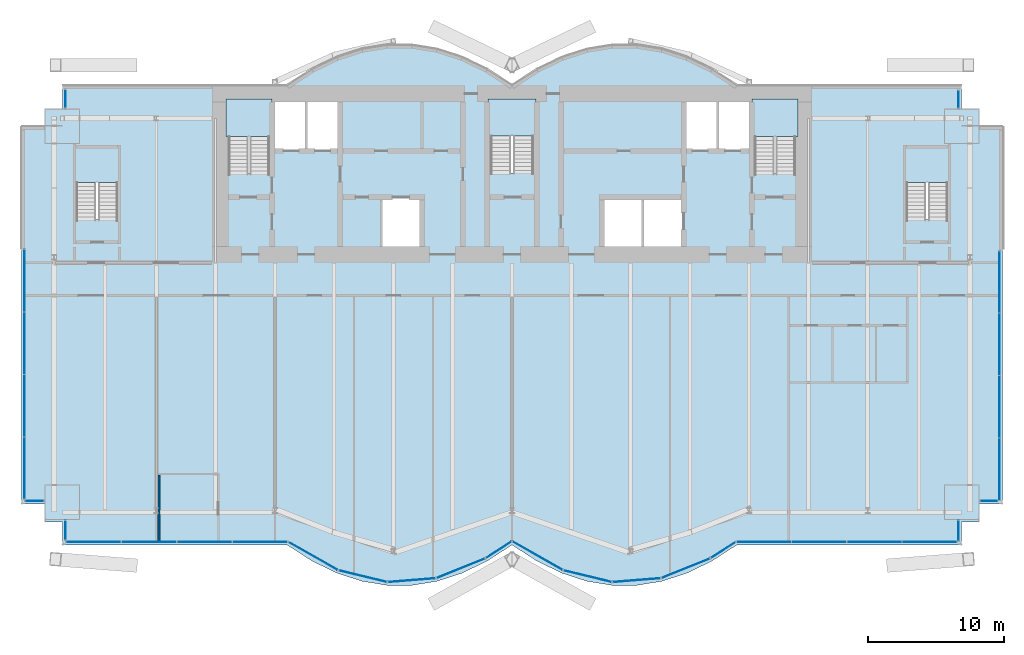
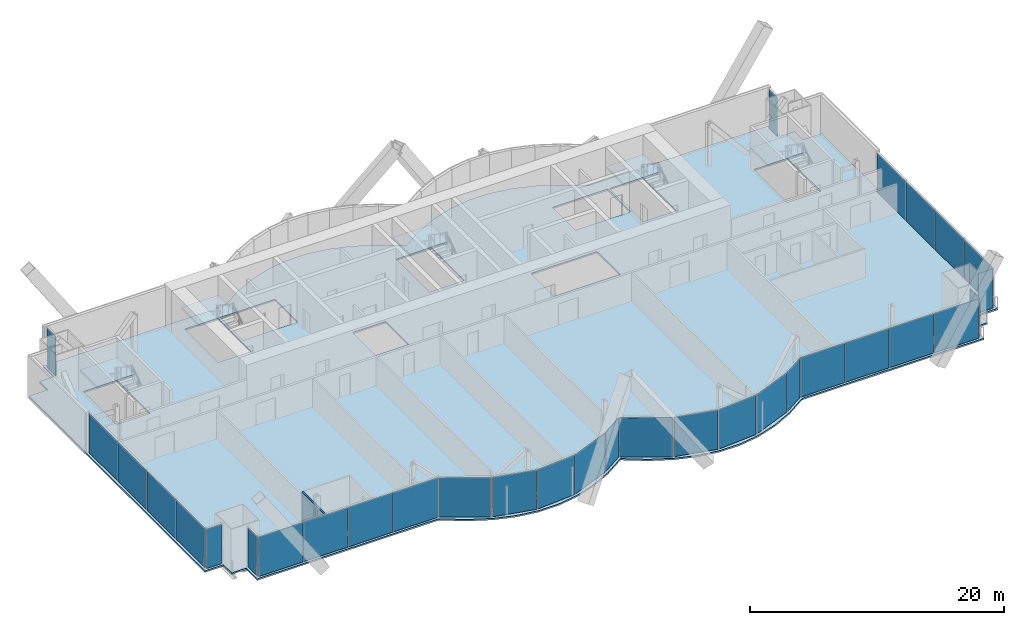
# One storey, part 14 of 21: 32 plates, 6 slabs, 1 wall, 17 elements without a shape of their own.
"""IFC4 building model written with IfcOpenShell, lengths in metres."""

from ifc_helpers import new_model, si_unit, direction, frame, frame_2d, origin, origin_2d, place, context, subcontext, project, spatial, polyline, rectangle, outline, extrude, material, layer, layer_set, type_object, element, aggregate, save


model = new_model("IFC4")

# Units and contexts
model_context = context("Model", 3, precision=1e-05, world=origin(), true_north=direction((0.0, 1.0)))
body_context = subcontext(model_context, "Body", "Model", "MODEL_VIEW")
ifc_project = project(units=[si_unit("LENGTHUNIT", "METRE"), si_unit("AREAUNIT", "SQUARE_METRE"), si_unit("VOLUMEUNIT", "CUBIC_METRE"), si_unit("PLANEANGLEUNIT", "RADIAN"), si_unit("MASSUNIT", "GRAM", prefix="KILO")], contexts=[model_context])

# Site, building, storey
site_placement = place(None, origin())
site = spatial("IfcSite", under=ifc_project, at=site_placement, CompositionType="ELEMENT")
building_placement = place(site_placement, origin())
building = spatial("IfcBuilding", under=site, at=building_placement, Name="Bicima Exchange Tower", CompositionType="ELEMENT")
storey_placement = place(building_placement, frame((0.0, 0.0, 181.39990234375)))
storey = spatial("IfcBuildingStorey", under=building, at=storey_placement, Name="L40", CompositionType="ELEMENT", Elevation=181.39990234375)

# Slab
ifc_material_1 = material(Name="Concrete C40/50", Category="concrete")
ifc_layer_1 = layer(ifc_material_1, 0.14990234375)
ifc_layer_set_1 = layer_set([ifc_layer_1], Name="Concrete C40/50")
slab_type_1 = type_object("IfcSlabType", Name="Composite floor slab 150", PredefinedType="FLOOR", material=ifc_layer_set_1)
slab_1_placement = place(storey_placement, frame((0.0, 0.0, -0.14990234375)))
element("IfcSlab", 1, at=slab_1_placement, inside=storey, type_object=slab_type_1, Name="Floor slab", PredefinedType="FLOOR", context=body_context, shape_type="SweptSolid", body=[
    extrude(outline(polyline([(-36.0, -30.7041015625), (-36.0, -3.0), (-34.300048828125, -3.0), (-34.300048828125, -1.699951171875), (-33.0, -1.699951171875), (-33.0, 0.0), (-16.5, 0.0), (-14.666748046875, 1.185302734375), (-12.833251953125, 2.07421875), (-11.0, 2.666748046875), (-9.166748046875, 2.962890625), (-7.333251953125, 2.962890625), (-5.5, 2.666748046875), (-3.666748046875, 2.07421875), (-1.833251953125, 1.185302734375), (0.0, 0.0), (1.833251953125, 1.185302734375), (3.666748046875, 2.07421875), (5.5, 2.666748046875), (7.333251953125, 2.962890625), (9.166748046875, 2.962890625), (11.0, 2.666748046875), (12.833251953125, 2.07421875), (14.666748046875, 1.185302734375), (16.5, 0.0), (33.0, 0.0), (33.0, -1.699951171875), (34.300048828125, -1.699951171875), (34.300048828125, -3.0), (36.0, -3.0), (36.0, -30.7041015625), (34.300048828125, -30.7041015625), (34.300048828125, -32.00390625), (33.0, -32.00390625), (33.0, -33.7041015625), (16.5, -33.7041015625), (14.666748046875, -34.88916015625), (12.833251953125, -35.778076171875), (11.0, -36.37060546875), (9.166748046875, -36.6669921875), (7.333251953125, -36.6669921875), (5.5, -36.37060546875), (3.666748046875, -35.778076171875), (1.833251953125, -34.88916015625), (0.0, -33.7041015625), (-1.833251953125, -34.88916015625), (-3.666748046875, -35.778076171875), (-5.5, -36.37060546875), (-7.333251953125, -36.6669921875), (-9.166748046875, -36.6669921875), (-11.0, -36.37060546875), (-12.833251953125, -35.778076171875), (-14.666748046875, -34.88916015625), (-16.5, -33.7041015625), (-33.0, -33.7041015625), (-33.0, -32.00390625), (-34.300048828125, -32.00390625), (-34.300048828125, -30.7041015625), (-36.0, -30.7041015625)]), holes=[polyline([(-6.60009765625, -11.800048828125), (-6.60009765625, -8.199951171875), (-9.60009765625, -8.199951171875), (-9.60009765625, -11.800048828125), (-6.60009765625, -11.800048828125)]), polyline([(-31.97509765625, -9.824951171875), (-28.925048828125, -9.824951171875), (-28.925048828125, -4.625), (-31.97509765625, -4.625), (-31.97509765625, -9.824951171875)]), polyline([(-20.800048828125, -6.449951171875), (-17.800048828125, -6.449951171875), (-17.800048828125, -1.199951171875), (-20.800048828125, -1.199951171875), (-20.800048828125, -6.449951171875)]), polyline([(1.574951171875, -6.39990234375), (1.574951171875, -1.199951171875), (-1.574951171875, -1.199951171875), (-1.574951171875, -6.39990234375), (1.574951171875, -6.39990234375)]), polyline([(-12.60009765625, -4.800048828125), (-12.60009765625, -1.199951171875), (-15.10009765625, -1.199951171875), (-17.60009765625, -1.199951171875), (-17.60009765625, -4.800048828125), (-15.10009765625, -4.800048828125), (-12.60009765625, -4.800048828125)]), polyline([(12.60009765625, -8.199951171875), (9.60009765625, -8.199951171875), (6.60009765625, -8.199951171875), (6.60009765625, -11.800048828125), (9.60009765625, -11.800048828125), (12.60009765625, -11.800048828125), (12.60009765625, -8.199951171875)]), polyline([(28.925048828125, -9.824951171875), (31.97509765625, -9.824951171875), (31.97509765625, -4.625), (28.925048828125, -4.625), (28.925048828125, -9.824951171875)]), polyline([(20.800048828125, -6.449951171875), (20.800048828125, -1.199951171875), (17.800048828125, -1.199951171875), (17.800048828125, -6.449951171875), (20.800048828125, -6.449951171875)]), polyline([(17.60009765625, -4.800048828125), (17.60009765625, -1.199951171875), (15.10009765625, -1.199951171875), (12.60009765625, -1.199951171875), (12.60009765625, -4.800048828125), (15.10009765625, -4.800048828125), (17.60009765625, -4.800048828125)])]), origin(), (0.0, 0.0, 1.0), 0.14990234375),
])

# Curtain wall, plates
ifc_material_2 = material(Name="Anodised bronze aluminium", Category="aluminium")
curtain_wall_type_1 = type_object("IfcCurtainWallType", Name="End face glass wall", PredefinedType="NOTDEFINED", material=ifc_material_2)
curtain_wall_1_placement = place(storey_placement, origin())
curtain_wall_1 = element("IfcCurtainWall", 2, at=curtain_wall_1_placement, inside=storey, type_object=curtain_wall_type_1, Name="End face glass wall L40 run 2", PredefinedType="NOTDEFINED")
ifc_material_3 = material(Name="Bronze tinted glass", Category="glass")
ifc_layer_2 = layer(ifc_material_3, 0.031982421875)
ifc_layer_set_2 = layer_set([ifc_layer_2], Name="Bronze tinted glass")
plate_type_1 = type_object("IfcPlateType", Name="End face glass wall glass panel 32", PredefinedType="CURTAIN_PANEL", material=ifc_layer_set_2)
plate_1_placement = place(storey_placement, frame((-35.77001953125, -14.32177734375, 0.0), z_axis=(0.0, 0.0, 1.0), x_axis=(0.0, -1.0, 0.0)))
plate_1 = element("IfcPlate", 3, at=plate_1_placement, type_object=plate_type_1, Name="End face glass wall panel 1.1", PredefinedType="CURTAIN_PANEL", context=body_context, shape_type="SweptSolid", body=[
    extrude(rectangle(XDim=4.5234375, YDim=0.031982421875, at=origin_2d()), origin(), (0.0, 0.0, 1.0), 3.760009765625),
])
plate_2_placement = place(storey_placement, frame((-35.77001953125, -18.9052734375, 0.0), z_axis=(0.0, 0.0, 1.0), x_axis=(0.0, -1.0, 0.0)))
plate_2 = element("IfcPlate", 4, at=plate_2_placement, type_object=plate_type_1, Name="End face glass wall panel 2.1", PredefinedType="CURTAIN_PANEL", context=body_context, shape_type="SweptSolid", body=[
    extrude(rectangle(XDim=4.5234375, YDim=0.031982421875, at=origin_2d()), origin(), (0.0, 0.0, 1.0), 3.760009765625),
])
plate_3_placement = place(storey_placement, frame((-35.77001953125, -23.48876953125, 0.0), z_axis=(0.0, 0.0, 1.0), x_axis=(0.0, -1.0, 0.0)))
plate_3 = element("IfcPlate", 5, at=plate_3_placement, type_object=plate_type_1, Name="End face glass wall panel 3.1", PredefinedType="CURTAIN_PANEL", context=body_context, shape_type="SweptSolid", body=[
    extrude(rectangle(XDim=4.5234375, YDim=0.031982421875, at=origin_2d()), origin(), (0.0, 0.0, 1.0), 3.760009765625),
])

curtain_wall_2_placement = place(storey_placement, origin())
curtain_wall_2 = element("IfcCurtainWall", 6, at=curtain_wall_2_placement, inside=storey, type_object=curtain_wall_type_1, Name="End face glass wall L40 run 19", PredefinedType="NOTDEFINED")
plate_4_placement = place(storey_placement, frame((35.77001953125, -23.56884765625, 0.0), z_axis=(0.0, 0.0, 1.0), x_axis=(0.0, 1.0, 0.0)))
plate_4 = element("IfcPlate", 7, at=plate_4_placement, type_object=plate_type_1, Name="End face glass wall panel 2.1", PredefinedType="CURTAIN_PANEL", context=body_context, shape_type="SweptSolid", body=[
    extrude(rectangle(XDim=4.5234375, YDim=0.031982421875, at=origin_2d()), origin(), (0.0, 0.0, 1.0), 3.760009765625),
])
plate_5_placement = place(storey_placement, frame((35.77001953125, -18.9853515625, 0.0), z_axis=(0.0, 0.0, 1.0), x_axis=(0.0, 1.0, 0.0)))
plate_5 = element("IfcPlate", 8, at=plate_5_placement, type_object=plate_type_1, Name="End face glass wall panel 3.1", PredefinedType="CURTAIN_PANEL", context=body_context, shape_type="SweptSolid", body=[
    extrude(rectangle(XDim=4.5234375, YDim=0.031982421875, at=origin_2d()), origin(), (0.0, 0.0, 1.0), 3.760009765625),
])
plate_6_placement = place(storey_placement, frame((35.77001953125, -14.40185546875, 0.0), z_axis=(0.0, 0.0, 1.0), x_axis=(0.0, 1.0, 0.0)))
plate_6 = element("IfcPlate", 9, at=plate_6_placement, type_object=plate_type_1, Name="End face glass wall panel 4.1", PredefinedType="CURTAIN_PANEL", context=body_context, shape_type="SweptSolid", body=[
    extrude(rectangle(XDim=4.5234375, YDim=0.031982421875, at=origin_2d()), origin(), (0.0, 0.0, 1.0), 3.760009765625),
])

# Plate
ifc_material_4 = material(Name="Bronze anodised aluminium", Category="aluminium")
ifc_layer_3 = layer(ifc_material_4, 0.031982421875)
ifc_layer_set_3 = layer_set([ifc_layer_3], Name="Bronze anodised aluminium")
plate_type_2 = type_object("IfcPlateType", Name="End face glass wall spandrel panel 32", PredefinedType="CURTAIN_PANEL", material=ifc_layer_set_3)
plate_7_placement = place(storey_placement, frame((-35.77001953125, -28.072265625, 0.0), z_axis=(0.0, 0.0, 1.0), x_axis=(0.0, -1.0, 0.0)))
plate_7 = element("IfcPlate", 10, at=plate_7_placement, type_object=plate_type_2, Name="End face spandrel wall panel 4.1", PredefinedType="CURTAIN_PANEL", context=body_context, shape_type="SweptSolid", body=[
    extrude(rectangle(XDim=4.5234375, YDim=0.031982421875, at=origin_2d()), origin(), (0.0, 0.0, 1.0), 3.760009765625),
])

aggregate(curtain_wall_1, [plate_1, plate_2, plate_3, plate_7])

plate_8_placement = place(storey_placement, frame((35.77001953125, -28.15234375, 0.0), z_axis=(0.0, 0.0, 1.0), x_axis=(0.0, 1.0, 0.0)))
plate_8 = element("IfcPlate", 11, at=plate_8_placement, type_object=plate_type_2, Name="End face spandrel wall panel 1.1", PredefinedType="CURTAIN_PANEL", context=body_context, shape_type="SweptSolid", body=[
    extrude(rectangle(XDim=4.5234375, YDim=0.031982421875, at=origin_2d()), origin(), (0.0, 0.0, 1.0), 3.760009765625),
])

aggregate(curtain_wall_2, [plate_8, plate_4, plate_5, plate_6])

# Curtain wall, plate
curtain_wall_type_2 = type_object("IfcCurtainWallType", Name="Front glass wall", PredefinedType="NOTDEFINED", material=ifc_material_2)
curtain_wall_3_placement = place(storey_placement, origin())
curtain_wall_3 = element("IfcCurtainWall", 12, at=curtain_wall_3_placement, inside=storey, type_object=curtain_wall_type_2, Name="Front glass wall L40 run 1", PredefinedType="NOTDEFINED")
ifc_layer_4 = layer(ifc_material_3, 0.031982421875)
ifc_layer_set_4 = layer_set([ifc_layer_4], Name="Bronze tinted glass")
plate_type_3 = type_object("IfcPlateType", Name="Front glass wall glass panel 32", PredefinedType="CURTAIN_PANEL", material=ifc_layer_set_4)
plate_9_placement = place(storey_placement, frame((-32.77001953125, -0.965087890625, 0.0), z_axis=(0.0, 0.0, 1.0), x_axis=(0.0, -1.0, 0.0)))
plate_9 = element("IfcPlate", 13, at=plate_9_placement, type_object=plate_type_3, Name="Front glass wall panel 1.1", PredefinedType="CURTAIN_PANEL", context=body_context, shape_type="SweptSolid", body=[
    extrude(rectangle(XDim=1.35009765625, YDim=0.031982421875, at=origin_2d()), origin(), (0.0, 0.0, 1.0), 3.760009765625),
])
aggregate(curtain_wall_3, [plate_9])

curtain_wall_4_placement = place(storey_placement, origin())
curtain_wall_4 = element("IfcCurtainWall", 14, at=curtain_wall_4_placement, inside=storey, type_object=curtain_wall_type_2, Name="Front glass wall L40 run 3", PredefinedType="NOTDEFINED")
plate_10_placement = place(storey_placement, frame((-35.034912109375, -30.47412109375, 0.0), z_axis=(0.0, 0.0, 1.0), x_axis=(1.0, 0.0, 0.0)))
plate_10 = element("IfcPlate", 15, at=plate_10_placement, type_object=plate_type_3, Name="Front glass wall panel 1.1", PredefinedType="CURTAIN_PANEL", context=body_context, shape_type="SweptSolid", body=[
    extrude(rectangle(XDim=1.35009765625, YDim=0.031982421875, at=origin_2d()), origin(), (0.0, 0.0, 1.0), 3.760009765625),
])
aggregate(curtain_wall_4, [plate_10])

curtain_wall_5_placement = place(storey_placement, origin())
curtain_wall_5 = element("IfcCurtainWall", 16, at=curtain_wall_5_placement, inside=storey, type_object=curtain_wall_type_2, Name="Front glass wall L40 run 4", PredefinedType="NOTDEFINED")
plate_11_placement = place(storey_placement, frame((-32.77001953125, -32.637939453125, 0.0), z_axis=(0.0, 0.0, 1.0), x_axis=(0.0, -1.0, 0.0)))
plate_11 = element("IfcPlate", 17, at=plate_11_placement, type_object=plate_type_3, Name="Front glass wall panel 1.1", PredefinedType="CURTAIN_PANEL", context=body_context, shape_type="SweptSolid", body=[
    extrude(rectangle(XDim=1.39208984375, YDim=0.031982421875, at=origin_2d()), origin(), (0.0, 0.0, 1.0), 3.760009765625),
])
aggregate(curtain_wall_5, [plate_11])

# Curtain wall, plates
curtain_wall_6_placement = place(storey_placement, origin())
curtain_wall_6 = element("IfcCurtainWall", 18, at=curtain_wall_6_placement, inside=storey, type_object=curtain_wall_type_2, Name="Front glass wall L40 run 5", PredefinedType="NOTDEFINED")
plate_12_placement = place(storey_placement, frame((-22.56640625, -33.47412109375, 0.0), z_axis=(0.0, 0.0, 1.0), x_axis=(1.0, 0.0, 0.0)))
plate_12 = element("IfcPlate", 19, at=plate_12_placement, type_object=plate_type_3, Name="Front glass wall panel 3.1", PredefinedType="CURTAIN_PANEL", context=body_context, shape_type="SweptSolid", body=[
    extrude(rectangle(XDim=4.009521484375, YDim=0.031982421875, at=origin_2d()), origin(), (0.0, 0.0, 1.0), 3.760009765625),
])
plate_13_placement = place(storey_placement, frame((-18.496826171875, -33.47412109375, 0.0), z_axis=(0.0, 0.0, 1.0), x_axis=(1.0, 0.0, 0.0)))
plate_13 = element("IfcPlate", 20, at=plate_13_placement, type_object=plate_type_3, Name="Front glass wall panel 4.1", PredefinedType="CURTAIN_PANEL", context=body_context, shape_type="SweptSolid", body=[
    extrude(rectangle(XDim=4.009521484375, YDim=0.031982421875, at=origin_2d()), origin(), (0.0, 0.0, 1.0), 3.760009765625),
])

curtain_wall_7_placement = place(storey_placement, origin())
curtain_wall_7 = element("IfcCurtainWall", 21, at=curtain_wall_7_placement, inside=storey, type_object=curtain_wall_type_2, Name="Front glass wall L40 run 6", PredefinedType="NOTDEFINED")
plate_14_placement = place(storey_placement, frame((-14.589599609375, -34.51904296875, 0.0), z_axis=(0.0, 0.0, 1.0), x_axis=(0.869805110681, -0.493395449343, 0.0)))
plate_14 = element("IfcPlate", 22, at=plate_14_placement, type_object=plate_type_3, Name="Front glass wall panel 1.1", PredefinedType="CURTAIN_PANEL", context=body_context, shape_type="SweptSolid", body=[
    extrude(rectangle(XDim=4.1162109375, YDim=0.031982421875, at=origin_2d()), origin(), (0.0, 0.0, 1.0), 3.760009765625),
])
plate_15_placement = place(storey_placement, frame((-10.94775390625, -36.00048828125, 0.0), z_axis=(0.0, 0.0, 1.0), x_axis=(0.971830343553, -0.235681529503, 0.0)))
plate_15 = element("IfcPlate", 23, at=plate_15_placement, type_object=plate_type_3, Name="Front glass wall panel 1.1", PredefinedType="CURTAIN_PANEL", context=body_context, shape_type="SweptSolid", body=[
    extrude(rectangle(XDim=3.583251953125, YDim=0.031982421875, at=origin_2d()), origin(), (0.0, 0.0, 1.0), 3.760009765625),
])
plate_16_placement = place(storey_placement, frame((-0.97314453125, -34.05908203125, 0.0), z_axis=(0.0, 0.0, 1.0), x_axis=(0.839798994301, 0.542897457326, 0.0)))
plate_16 = element("IfcPlate", 24, at=plate_16_placement, type_object=plate_type_3, Name="Front glass wall panel 1.1", PredefinedType="CURTAIN_PANEL", context=body_context, shape_type="SweptSolid", body=[
    extrude(rectangle(XDim=2.197509765625, YDim=0.031982421875, at=origin_2d()), origin(), (0.0, 0.0, 1.0), 3.760009765625),
])

curtain_wall_8_placement = place(storey_placement, origin())
curtain_wall_8 = element("IfcCurtainWall", 25, at=curtain_wall_8_placement, inside=storey, type_object=curtain_wall_type_2, Name="Front glass wall L40 run 11", PredefinedType="NOTDEFINED")
plate_17_placement = place(storey_placement, frame((9.14892578125, -36.291748046875, 0.0), z_axis=(0.0, 0.0, 1.0), x_axis=(0.99674744821, 0.080588612633, 0.0)))
plate_17 = element("IfcPlate", 26, at=plate_17_placement, type_object=plate_type_3, Name="Front glass wall panel 1.1", PredefinedType="CURTAIN_PANEL", context=body_context, shape_type="SweptSolid", body=[
    extrude(rectangle(XDim=3.486083984375, YDim=0.031982421875, at=origin_2d()), origin(), (0.0, 0.0, 1.0), 3.760009765625),
])
plate_18_placement = place(storey_placement, frame((12.749755859375, -35.41748046875, 0.0), z_axis=(0.0, 0.0, 1.0), x_axis=(0.92714396679, 0.374705304, 0.0)))
plate_18 = element("IfcPlate", 27, at=plate_18_placement, type_object=plate_type_3, Name="Front glass wall panel 1.1", PredefinedType="CURTAIN_PANEL", context=body_context, shape_type="SweptSolid", body=[
    extrude(rectangle(XDim=3.771240234375, YDim=0.031982421875, at=origin_2d()), origin(), (0.0, 0.0, 1.0), 3.760009765625),
])
plate_19_placement = place(storey_placement, frame((15.492919921875, -34.081298828125, 0.0), z_axis=(0.0, 0.0, 1.0), x_axis=(0.839791413941, 0.542909183079, 0.0)))
plate_19 = element("IfcPlate", 28, at=plate_19_placement, type_object=plate_type_3, Name="Front glass wall panel 1.1", PredefinedType="CURTAIN_PANEL", context=body_context, shape_type="SweptSolid", body=[
    extrude(rectangle(XDim=2.11669921875, YDim=0.031982421875, at=origin_2d()), origin(), (0.0, 0.0, 1.0), 3.760009765625),
])

curtain_wall_9_placement = place(storey_placement, origin())
curtain_wall_9 = element("IfcCurtainWall", 29, at=curtain_wall_9_placement, inside=storey, type_object=curtain_wall_type_2, Name="Front glass wall L40 run 16", PredefinedType="NOTDEFINED")
plate_20_placement = place(storey_placement, frame((18.48681640625, -33.47412109375, 0.0), z_axis=(0.0, 0.0, 1.0), x_axis=(1.0, 0.0, 0.0)))
plate_20 = element("IfcPlate", 30, at=plate_20_placement, type_object=plate_type_3, Name="Front glass wall panel 1.1", PredefinedType="CURTAIN_PANEL", context=body_context, shape_type="SweptSolid", body=[
    extrude(rectangle(XDim=3.989501953125, YDim=0.031982421875, at=origin_2d()), origin(), (0.0, 0.0, 1.0), 3.760009765625),
])
plate_21_placement = place(storey_placement, frame((22.536376953125, -33.47412109375, 0.0), z_axis=(0.0, 0.0, 1.0), x_axis=(1.0, 0.0, 0.0)))
plate_21 = element("IfcPlate", 31, at=plate_21_placement, type_object=plate_type_3, Name="Front glass wall panel 2.1", PredefinedType="CURTAIN_PANEL", context=body_context, shape_type="SweptSolid", body=[
    extrude(rectangle(XDim=3.989501953125, YDim=0.031982421875, at=origin_2d()), origin(), (0.0, 0.0, 1.0), 3.760009765625),
])

# Curtain wall, plate
curtain_wall_10_placement = place(storey_placement, origin())
curtain_wall_10 = element("IfcCurtainWall", 32, at=curtain_wall_10_placement, inside=storey, type_object=curtain_wall_type_2, Name="Front glass wall L40 run 17", PredefinedType="NOTDEFINED")
plate_22_placement = place(storey_placement, frame((32.77001953125, -32.677978515625, 0.0), z_axis=(0.0, 0.0, 1.0), x_axis=(0.0, 1.0, 0.0)))
plate_22 = element("IfcPlate", 33, at=plate_22_placement, type_object=plate_type_3, Name="Front glass wall panel 1.1", PredefinedType="CURTAIN_PANEL", context=body_context, shape_type="SweptSolid", body=[
    extrude(rectangle(XDim=1.471923828125, YDim=0.031982421875, at=origin_2d()), origin(), (0.0, 0.0, 1.0), 3.760009765625),
])
aggregate(curtain_wall_10, [plate_22])

curtain_wall_11_placement = place(storey_placement, origin())
curtain_wall_11 = element("IfcCurtainWall", 34, at=curtain_wall_11_placement, inside=storey, type_object=curtain_wall_type_2, Name="Front glass wall L40 run 18", PredefinedType="NOTDEFINED")
plate_23_placement = place(storey_placement, frame((34.9951171875, -30.47412109375, 0.0), z_axis=(0.0, 0.0, 1.0), x_axis=(1.0, 0.0, 0.0)))
plate_23 = element("IfcPlate", 35, at=plate_23_placement, type_object=plate_type_3, Name="Front glass wall panel 1.1", PredefinedType="CURTAIN_PANEL", context=body_context, shape_type="SweptSolid", body=[
    extrude(rectangle(XDim=1.27001953125, YDim=0.031982421875, at=origin_2d()), origin(), (0.0, 0.0, 1.0), 3.760009765625),
])
aggregate(curtain_wall_11, [plate_23])

curtain_wall_12_placement = place(storey_placement, origin())
curtain_wall_12 = element("IfcCurtainWall", 36, at=curtain_wall_12_placement, inside=storey, type_object=curtain_wall_type_2, Name="Front glass wall L40 run 20", PredefinedType="NOTDEFINED")
plate_24_placement = place(storey_placement, frame((32.77001953125, -1.0048828125, 0.0), z_axis=(0.0, 0.0, 1.0), x_axis=(0.0, 1.0, 0.0)))
plate_24 = element("IfcPlate", 37, at=plate_24_placement, type_object=plate_type_3, Name="Front glass wall panel 1.1", PredefinedType="CURTAIN_PANEL", context=body_context, shape_type="SweptSolid", body=[
    extrude(rectangle(XDim=1.27001953125, YDim=0.031982421875, at=origin_2d()), origin(), (0.0, 0.0, 1.0), 3.760009765625),
])
aggregate(curtain_wall_12, [plate_24])

# Plate
ifc_layer_5 = layer(ifc_material_4, 0.031982421875)
ifc_layer_set_5 = layer_set([ifc_layer_5], Name="Bronze anodised aluminium")
plate_type_4 = type_object("IfcPlateType", Name="Front glass wall spandrel panel 32", PredefinedType="CURTAIN_PANEL", material=ifc_layer_set_5)
plate_25_placement = place(storey_placement, frame((-30.705322265625, -33.47412109375, 0.0), z_axis=(0.0, 0.0, 1.0), x_axis=(1.0, 0.0, 0.0)))
plate_25 = element("IfcPlate", 38, at=plate_25_placement, type_object=plate_type_4, Name="Front spandrel wall panel 1.1", PredefinedType="CURTAIN_PANEL", context=body_context, shape_type="SweptSolid", body=[
    extrude(rectangle(XDim=4.009521484375, YDim=0.031982421875, at=origin_2d()), origin(), (0.0, 0.0, 1.0), 3.760009765625),
])

plate_26_placement = place(storey_placement, frame((-26.6357421875, -33.47412109375, 0.0), z_axis=(0.0, 0.0, 1.0), x_axis=(1.0, 0.0, 0.0)))
plate_26 = element("IfcPlate", 39, at=plate_26_placement, type_object=plate_type_4, Name="Front spandrel wall panel 2.1", PredefinedType="CURTAIN_PANEL", context=body_context, shape_type="SweptSolid", body=[
    extrude(rectangle(XDim=4.009521484375, YDim=0.031982421875, at=origin_2d()), origin(), (0.0, 0.0, 1.0), 3.760009765625),
])

aggregate(curtain_wall_6, [plate_25, plate_26, plate_12, plate_13])

plate_27_placement = place(storey_placement, frame((-7.35107421875, -36.291748046875, 0.0), z_axis=(0.0, 0.0, 1.0), x_axis=(0.99674744821, 0.080588612633, 0.0)))
plate_27 = element("IfcPlate", 40, at=plate_27_placement, type_object=plate_type_4, Name="Front spandrel wall panel 1.1", PredefinedType="CURTAIN_PANEL", context=body_context, shape_type="SweptSolid", body=[
    extrude(rectangle(XDim=3.486083984375, YDim=0.031982421875, at=origin_2d()), origin(), (0.0, 0.0, 1.0), 3.760009765625),
])

plate_28_placement = place(storey_placement, frame((-3.750244140625, -35.41748046875, 0.0), z_axis=(0.0, 0.0, 1.0), x_axis=(0.92714396679, 0.374705304, 0.0)))
plate_28 = element("IfcPlate", 41, at=plate_28_placement, type_object=plate_type_4, Name="Front spandrel wall panel 1.1", PredefinedType="CURTAIN_PANEL", context=body_context, shape_type="SweptSolid", body=[
    extrude(rectangle(XDim=3.771240234375, YDim=0.031982421875, at=origin_2d()), origin(), (0.0, 0.0, 1.0), 3.760009765625),
])

aggregate(curtain_wall_7, [plate_14, plate_15, plate_27, plate_28, plate_16])

plate_29_placement = place(storey_placement, frame((1.876220703125, -34.497314453125, 0.0), z_axis=(0.0, 0.0, 1.0), x_axis=(0.869274147378, -0.494330311331, 0.0)))
plate_29 = element("IfcPlate", 42, at=plate_29_placement, type_object=plate_type_4, Name="Front spandrel wall panel 1.1", PredefinedType="CURTAIN_PANEL", context=body_context, shape_type="SweptSolid", body=[
    extrude(rectangle(XDim=4.197021484375, YDim=0.031982421875, at=origin_2d()), origin(), (0.0, 0.0, 1.0), 3.760009765625),
])

plate_30_placement = place(storey_placement, frame((5.55224609375, -36.00048828125, 0.0), z_axis=(0.0, 0.0, 1.0), x_axis=(0.971830343553, -0.235681529503, 0.0)))
plate_30 = element("IfcPlate", 43, at=plate_30_placement, type_object=plate_type_4, Name="Front spandrel wall panel 1.1", PredefinedType="CURTAIN_PANEL", context=body_context, shape_type="SweptSolid", body=[
    extrude(rectangle(XDim=3.583251953125, YDim=0.031982421875, at=origin_2d()), origin(), (0.0, 0.0, 1.0), 3.760009765625),
])

aggregate(curtain_wall_8, [plate_29, plate_30, plate_17, plate_18, plate_19])

plate_31_placement = place(storey_placement, frame((26.585693359375, -33.47412109375, 0.0), z_axis=(0.0, 0.0, 1.0), x_axis=(1.0, 0.0, 0.0)))
plate_31 = element("IfcPlate", 44, at=plate_31_placement, type_object=plate_type_4, Name="Front spandrel wall panel 3.1", PredefinedType="CURTAIN_PANEL", context=body_context, shape_type="SweptSolid", body=[
    extrude(rectangle(XDim=3.989501953125, YDim=0.031982421875, at=origin_2d()), origin(), (0.0, 0.0, 1.0), 3.760009765625),
])

plate_32_placement = place(storey_placement, frame((30.63525390625, -33.47412109375, 0.0), z_axis=(0.0, 0.0, 1.0), x_axis=(1.0, 0.0, 0.0)))
plate_32 = element("IfcPlate", 45, at=plate_32_placement, type_object=plate_type_4, Name="Front spandrel wall panel 4.1", PredefinedType="CURTAIN_PANEL", context=body_context, shape_type="SweptSolid", body=[
    extrude(rectangle(XDim=3.989501953125, YDim=0.031982421875, at=origin_2d()), origin(), (0.0, 0.0, 1.0), 3.760009765625),
])

aggregate(curtain_wall_9, [plate_20, plate_21, plate_31, plate_32])

# Stair, slab
ifc_material_5 = material(Name="Concrete C50/60", Category="concrete")
stair_type_1 = type_object("IfcStairType", Name="Exit stair", PredefinedType="HALF_TURN_STAIR", material=ifc_material_5)
stair_1_placement = place(storey_placement, origin())
stair_1 = element("IfcStair", 46, at=stair_1_placement, inside=storey, type_object=stair_type_1, Name="L40 West exit stair", PredefinedType="HALF_TURN_STAIR")
ifc_layer_6 = layer(ifc_material_5, 0.199951171875)
ifc_layer_set_6 = layer_set([ifc_layer_6], Name="Concrete C50/60")
slab_type_2 = type_object("IfcSlabType", Name="Stair landing slab", PredefinedType="LANDING", material=ifc_layer_set_6)
slab_2_placement = place(storey_placement, frame((0.0, 0.0, 1.85009765625)))
slab_2 = element("IfcSlab", 47, at=slab_2_placement, type_object=slab_type_2, Name="ST-W landing 1", PredefinedType="LANDING", context=body_context, shape_type="SweptSolid", body=[
    extrude(outline(polyline([(-17.60009765625, -3.75), (-17.60009765625, -1.0), (-21.0, -1.0), (-21.0, -3.75), (-17.60009765625, -3.75)])), origin(), (0.0, 0.0, 1.0), 0.199951171875),
])
aggregate(stair_1, [slab_2])

stair_type_2 = type_object("IfcStairType", Name="Exit stair 1500", PredefinedType="HALF_TURN_STAIR", material=ifc_material_5)
stair_2_placement = place(storey_placement, origin())
stair_2 = element("IfcStair", 48, at=stair_2_placement, inside=storey, type_object=stair_type_2, Name="L40 Central exit stair", PredefinedType="HALF_TURN_STAIR")
slab_3_placement = place(storey_placement, frame((0.0, 0.0, 1.85009765625)))
slab_3 = element("IfcSlab", 49, at=slab_3_placement, type_object=slab_type_2, Name="ST-C landing 1", PredefinedType="LANDING", context=body_context, shape_type="SweptSolid", body=[
    extrude(outline(polyline([(1.77490234375, -3.699951171875), (1.77490234375, -1.0), (-1.77490234375, -1.0), (-1.77490234375, -3.699951171875), (1.77490234375, -3.699951171875)])), origin(), (0.0, 0.0, 1.0), 0.199951171875),
])
aggregate(stair_2, [slab_3])

stair_3_placement = place(storey_placement, origin())
stair_3 = element("IfcStair", 50, at=stair_3_placement, inside=storey, type_object=stair_type_1, Name="L40 East exit stair", PredefinedType="HALF_TURN_STAIR")
slab_4_placement = place(storey_placement, frame((0.0, 0.0, 1.85009765625)))
slab_4 = element("IfcSlab", 51, at=slab_4_placement, type_object=slab_type_2, Name="ST-E landing 1", PredefinedType="LANDING", context=body_context, shape_type="SweptSolid", body=[
    extrude(outline(polyline([(21.0, -3.75), (21.0, -1.0), (17.60009765625, -1.0), (17.60009765625, -3.75), (21.0, -3.75)])), origin(), (0.0, 0.0, 1.0), 0.199951171875),
])
aggregate(stair_3, [slab_4])

stair_4_placement = place(storey_placement, origin())
stair_4 = element("IfcStair", 52, at=stair_4_placement, inside=storey, type_object=stair_type_1, Name="L40 West end exit stair", PredefinedType="HALF_TURN_STAIR")
slab_5_placement = place(storey_placement, frame((0.0, 0.0, 1.85009765625)))
slab_5 = element("IfcSlab", 53, at=slab_5_placement, type_object=slab_type_2, Name="ST-WW landing 1", PredefinedType="LANDING", context=body_context, shape_type="SweptSolid", body=[
    extrude(outline(polyline([(-28.72509765625, -7.125), (-28.72509765625, -4.425048828125), (-32.175048828125, -4.425048828125), (-32.175048828125, -7.125), (-28.72509765625, -7.125)])), origin(), (0.0, 0.0, 1.0), 0.199951171875),
])
aggregate(stair_4, [slab_5])

stair_5_placement = place(storey_placement, origin())
stair_5 = element("IfcStair", 54, at=stair_5_placement, inside=storey, type_object=stair_type_1, Name="L40 East end exit stair", PredefinedType="HALF_TURN_STAIR")
slab_6_placement = place(storey_placement, frame((0.0, 0.0, 1.85009765625)))
slab_6 = element("IfcSlab", 55, at=slab_6_placement, type_object=slab_type_2, Name="ST-EE landing 1", PredefinedType="LANDING", context=body_context, shape_type="SweptSolid", body=[
    extrude(outline(polyline([(32.175048828125, -7.125), (32.175048828125, -4.425048828125), (28.72509765625, -4.425048828125), (28.72509765625, -7.125), (32.175048828125, -7.125)])), origin(), (0.0, 0.0, 1.0), 0.199951171875),
])
aggregate(stair_5, [slab_6])

# Wall
ifc_material_6 = material(Name="Gypsum board partition")
ifc_layer_7 = layer(ifc_material_6, 0.14990234375)
ifc_layer_set_7 = layer_set([ifc_layer_7], Name="Gypsum board partition")
wall_type = type_object("IfcWallType", Name="Gypsum partition 150", PredefinedType="PARTITIONING", material=ifc_layer_set_7)
wall_placement = place(storey_placement, frame((-25.89990234375, -33.489990234375, 0.0), z_axis=(0.0, 0.0, 1.0), x_axis=(0.0, 1.0, 0.0)))
element("IfcWall", 56, at=wall_placement, inside=storey, type_object=wall_type, Name="partition wall 16", PredefinedType="PARTITIONING", context=body_context, shape_type="SweptSolid", body=[
    extrude(rectangle(XDim=4.925048828125, YDim=0.14990234375, at=frame_2d((2.46240234375, 0.0))), origin(), (0.0, 0.0, 1.0), 2.790283203125),
])

save(model, "model.ifc")
